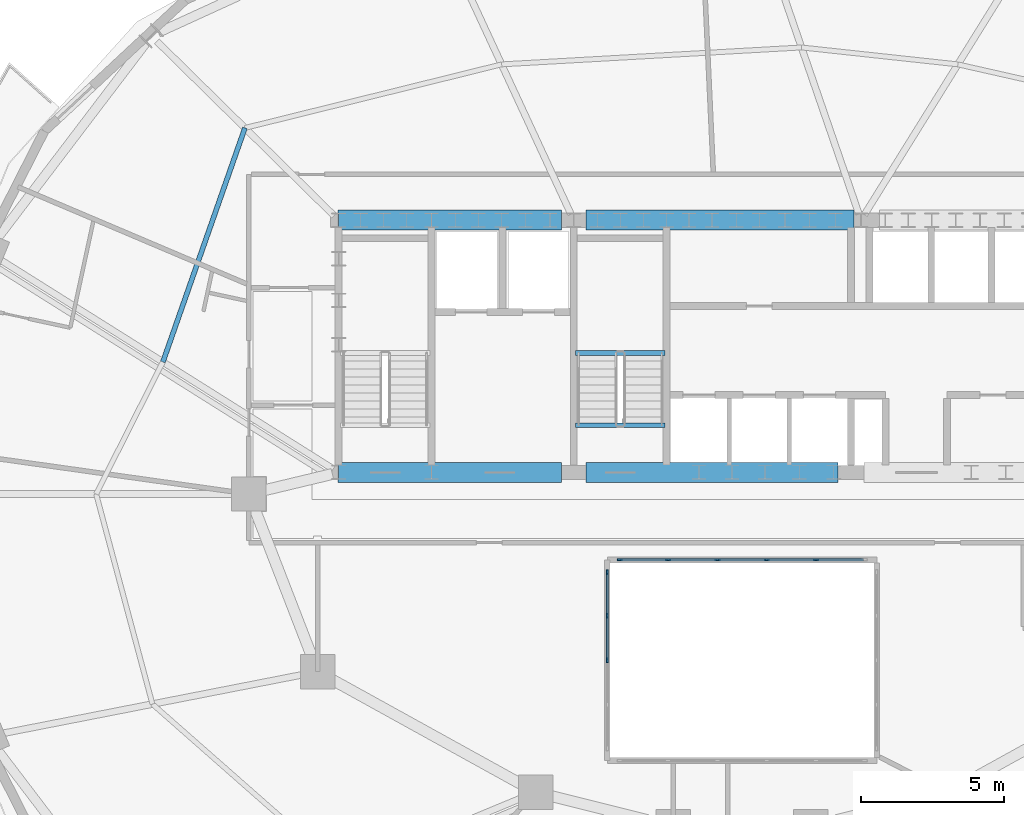
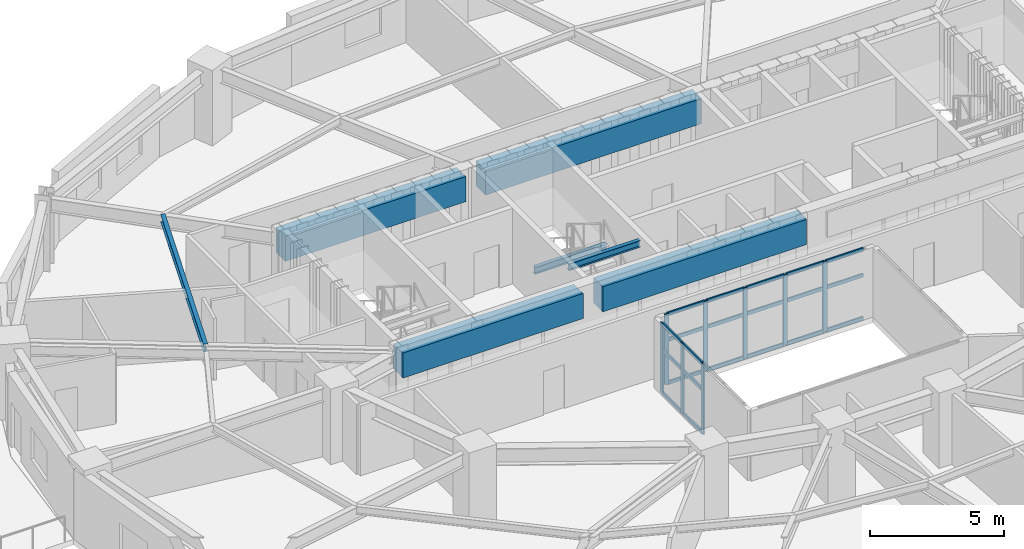
# One storey, part 3 of 13: 29 members, 7 beams, 2 elements without a shape of their own.
"""IFC4 building model written with IfcOpenShell, lengths in metres."""

from ifc_helpers import new_model, si_unit, direction, frame, origin, origin_2d, place, context, subcontext, project, spatial, rectangle, i_section, extrude, material, material_profile, profile_set, type_object, element, aggregate, save


model = new_model("IFC4")

# Units and contexts
model_context = context("Model", 3, precision=1e-05, world=origin(), true_north=direction((0.0, 1.0)))
body_context = subcontext(model_context, "Body", "Model", "MODEL_VIEW")
ifc_project = project(units=[si_unit("LENGTHUNIT", "METRE"), si_unit("AREAUNIT", "SQUARE_METRE"), si_unit("VOLUMEUNIT", "CUBIC_METRE"), si_unit("PLANEANGLEUNIT", "RADIAN"), si_unit("MASSUNIT", "GRAM", prefix="KILO")], contexts=[model_context])

# Site, building, storey
site_placement = place(None, origin())
site = spatial("IfcSite", under=ifc_project, at=site_placement, CompositionType="ELEMENT")
building_placement = place(site_placement, origin())
building = spatial("IfcBuilding", under=site, at=building_placement, Name="Haldorwick Loom Tower", CompositionType="ELEMENT")
storey_placement = place(building_placement, frame((0.0, 0.0, 120.800048828125)))
storey = spatial("IfcBuildingStorey", under=building, at=storey_placement, Name="L32", CompositionType="ELEMENT", Elevation=120.800048828125)

# Curtain wall, members
ifc_material_1 = material(Name="Thermally Broken Anodized Aluminium Curtain Wall Framing", Category="aluminium")
curtain_wall_type = type_object("IfcCurtainWallType", Name="ARC-CW-03", PredefinedType="NOTDEFINED", material=ifc_material_1)
curtain_wall_1_placement = place(storey_placement, origin())
curtain_wall_1 = element("IfcCurtainWall", 1, at=curtain_wall_1_placement, inside=storey, type_object=curtain_wall_type, Name="L32 Atrium Glazed Screen N", PredefinedType="NOTDEFINED")
ifc_material_profile_1 = material_profile(ifc_material_1, rectangle(XDim=0.06591796875, YDim=0.18505859375, at=origin_2d()), Name="ALU_MUL_66X185", Category="aluminium")
ifc_profile_set_1 = profile_set([ifc_material_profile_1], Name="Thermally Broken Anodized Aluminium Curtain Wall Framing")
member_type_1 = type_object("IfcMemberType", Name="ARC-CWM-03", PredefinedType="MULLION", material=ifc_profile_set_1)
member_1_placement = place(storey_placement, frame((31.73291015625, 23.699951171875, 0.0), z_axis=(0.0, 0.0, 1.0), x_axis=(0.0, 1.0, 0.0)))
member_1 = element("IfcMember", 2, at=member_1_placement, type_object=member_type_1, Name="CW-03 mullion 1", PredefinedType="MULLION", context=body_context, shape_type="SweptSolid", body=[
    extrude(rectangle(XDim=0.06591796875, YDim=0.18505859375, at=origin_2d()), origin(), (0.0, 0.0, 1.0), 3.2099609375),
])
member_2_placement = place(storey_placement, frame((33.419921875, 23.699951171875, 0.0), z_axis=(0.0, 0.0, 1.0), x_axis=(0.0, 1.0, 0.0)))
member_2 = element("IfcMember", 3, at=member_2_placement, type_object=member_type_1, Name="CW-03 mullion 2", PredefinedType="MULLION", context=body_context, shape_type="SweptSolid", body=[
    extrude(rectangle(XDim=0.06591796875, YDim=0.18505859375, at=origin_2d()), origin(), (0.0, 0.0, 1.0), 3.2099609375),
])
member_3_placement = place(storey_placement, frame((35.139892578125, 23.699951171875, 0.0), z_axis=(0.0, 0.0, 1.0), x_axis=(0.0, 1.0, 0.0)))
member_3 = element("IfcMember", 4, at=member_3_placement, type_object=member_type_1, Name="CW-03 mullion 3", PredefinedType="MULLION", context=body_context, shape_type="SweptSolid", body=[
    extrude(rectangle(XDim=0.06591796875, YDim=0.18505859375, at=origin_2d()), origin(), (0.0, 0.0, 1.0), 3.2099609375),
])
member_4_placement = place(storey_placement, frame((36.860107421875, 23.699951171875, 0.0), z_axis=(0.0, 0.0, 1.0), x_axis=(0.0, 1.0, 0.0)))
member_4 = element("IfcMember", 5, at=member_4_placement, type_object=member_type_1, Name="CW-03 mullion 4", PredefinedType="MULLION", context=body_context, shape_type="SweptSolid", body=[
    extrude(rectangle(XDim=0.06591796875, YDim=0.18505859375, at=origin_2d()), origin(), (0.0, 0.0, 1.0), 3.2099609375),
])
member_5_placement = place(storey_placement, frame((38.580078125, 23.699951171875, 0.0), z_axis=(0.0, 0.0, 1.0), x_axis=(0.0, 1.0, 0.0)))
member_5 = element("IfcMember", 6, at=member_5_placement, type_object=member_type_1, Name="CW-03 mullion 5", PredefinedType="MULLION", context=body_context, shape_type="SweptSolid", body=[
    extrude(rectangle(XDim=0.06591796875, YDim=0.18505859375, at=origin_2d()), origin(), (0.0, 0.0, 1.0), 3.2099609375),
])

curtain_wall_2_placement = place(storey_placement, origin())
curtain_wall_2 = element("IfcCurtainWall", 7, at=curtain_wall_2_placement, inside=storey, type_object=curtain_wall_type, Name="L32 Atrium Glazed Screen W", PredefinedType="NOTDEFINED")
member_6_placement = place(storey_placement, frame((31.300048828125, 20.199951171875, 0.0), z_axis=(0.0, 0.0, 1.0), x_axis=(-1.0, 0.0, 0.0)))
member_6 = element("IfcMember", 8, at=member_6_placement, type_object=member_type_1, Name="CW-03 mullion 3", PredefinedType="MULLION", context=body_context, shape_type="SweptSolid", body=[
    extrude(rectangle(XDim=0.06591796875, YDim=0.18505859375, at=origin_2d()), origin(), (0.0, 0.0, 1.0), 3.2099609375),
])
member_7_placement = place(storey_placement, frame((31.300048828125, 21.75, 0.0), z_axis=(0.0, 0.0, 1.0), x_axis=(-1.0, 0.0, 0.0)))
member_7 = element("IfcMember", 9, at=member_7_placement, type_object=member_type_1, Name="CW-03 mullion 4", PredefinedType="MULLION", context=body_context, shape_type="SweptSolid", body=[
    extrude(rectangle(XDim=0.06591796875, YDim=0.18505859375, at=origin_2d()), origin(), (0.0, 0.0, 1.0), 3.2099609375),
])
member_8_placement = place(storey_placement, frame((31.300048828125, 23.26708984375, 0.0), z_axis=(0.0, 0.0, 1.0), x_axis=(-1.0, 0.0, 0.0)))
member_8 = element("IfcMember", 10, at=member_8_placement, type_object=member_type_1, Name="CW-03 mullion 5", PredefinedType="MULLION", context=body_context, shape_type="SweptSolid", body=[
    extrude(rectangle(XDim=0.06591796875, YDim=0.18505859375, at=origin_2d()), origin(), (0.0, 0.0, 1.0), 3.2099609375),
])

# Member
ifc_material_profile_2 = material_profile(ifc_material_1, rectangle(XDim=0.06591796875, YDim=0.1650390625, at=origin_2d()), Name="ALU_TRN_66X165", Category="aluminium")
ifc_profile_set_2 = profile_set([ifc_material_profile_2], Name="Thermally Broken Anodized Aluminium Curtain Wall Framing")
member_type_2 = type_object("IfcMemberType", Name="ARC-CWT-03", PredefinedType="USERDEFINED", material=ifc_profile_set_2)
member_9_placement = place(storey_placement, frame((31.76611328125, 23.699951171875, 0.032958984375), z_axis=(1.0, 0.0, 0.0), x_axis=(0.0, 1.0, 0.0)))
member_9 = element("IfcMember", 11, at=member_9_placement, type_object=member_type_2, Name="CW-03 transom 1.1", ObjectType="TRANSOM", PredefinedType="USERDEFINED", context=body_context, shape_type="SweptSolid", body=[
    extrude(rectangle(XDim=0.06591796875, YDim=0.1650390625, at=origin_2d()), origin(), (0.0, 0.0, 1.0), 1.620849609375),
])

member_10_placement = place(storey_placement, frame((31.76611328125, 23.699951171875, 2.0), z_axis=(1.0, 0.0, 0.0), x_axis=(0.0, 1.0, 0.0)))
member_10 = element("IfcMember", 12, at=member_10_placement, type_object=member_type_2, Name="CW-03 transom 1.2", ObjectType="TRANSOM", PredefinedType="USERDEFINED", context=body_context, shape_type="SweptSolid", body=[
    extrude(rectangle(XDim=0.06591796875, YDim=0.1650390625, at=origin_2d()), origin(), (0.0, 0.0, 1.0), 1.620849609375),
])

member_11_placement = place(storey_placement, frame((31.76611328125, 23.699951171875, 3.177001953125), z_axis=(1.0, 0.0, 0.0), x_axis=(0.0, 1.0, 0.0)))
member_11 = element("IfcMember", 13, at=member_11_placement, type_object=member_type_2, Name="CW-03 transom 1.3", ObjectType="TRANSOM", PredefinedType="USERDEFINED", context=body_context, shape_type="SweptSolid", body=[
    extrude(rectangle(XDim=0.06591796875, YDim=0.1650390625, at=origin_2d()), origin(), (0.0, 0.0, 1.0), 1.620849609375),
])

member_12_placement = place(storey_placement, frame((33.452880859375, 23.699951171875, 0.032958984375), z_axis=(1.0, 0.0, 0.0), x_axis=(0.0, 1.0, 0.0)))
member_12 = element("IfcMember", 14, at=member_12_placement, type_object=member_type_2, Name="CW-03 transom 2.1", ObjectType="TRANSOM", PredefinedType="USERDEFINED", context=body_context, shape_type="SweptSolid", body=[
    extrude(rectangle(XDim=0.06591796875, YDim=0.1650390625, at=origin_2d()), origin(), (0.0, 0.0, 1.0), 1.654052734375),
])

member_13_placement = place(storey_placement, frame((33.452880859375, 23.699951171875, 2.0), z_axis=(1.0, 0.0, 0.0), x_axis=(0.0, 1.0, 0.0)))
member_13 = element("IfcMember", 15, at=member_13_placement, type_object=member_type_2, Name="CW-03 transom 2.2", ObjectType="TRANSOM", PredefinedType="USERDEFINED", context=body_context, shape_type="SweptSolid", body=[
    extrude(rectangle(XDim=0.06591796875, YDim=0.1650390625, at=origin_2d()), origin(), (0.0, 0.0, 1.0), 1.654052734375),
])

member_14_placement = place(storey_placement, frame((33.452880859375, 23.699951171875, 3.177001953125), z_axis=(1.0, 0.0, 0.0), x_axis=(0.0, 1.0, 0.0)))
member_14 = element("IfcMember", 16, at=member_14_placement, type_object=member_type_2, Name="CW-03 transom 2.3", ObjectType="TRANSOM", PredefinedType="USERDEFINED", context=body_context, shape_type="SweptSolid", body=[
    extrude(rectangle(XDim=0.06591796875, YDim=0.1650390625, at=origin_2d()), origin(), (0.0, 0.0, 1.0), 1.654052734375),
])

member_15_placement = place(storey_placement, frame((35.173095703125, 23.699951171875, 0.032958984375), z_axis=(1.0, 0.0, 0.0), x_axis=(0.0, 1.0, 0.0)))
member_15 = element("IfcMember", 17, at=member_15_placement, type_object=member_type_2, Name="CW-03 transom 3.1", ObjectType="TRANSOM", PredefinedType="USERDEFINED", context=body_context, shape_type="SweptSolid", body=[
    extrude(rectangle(XDim=0.06591796875, YDim=0.1650390625, at=origin_2d()), origin(), (0.0, 0.0, 1.0), 1.65380859375),
])

member_16_placement = place(storey_placement, frame((35.173095703125, 23.699951171875, 2.0), z_axis=(1.0, 0.0, 0.0), x_axis=(0.0, 1.0, 0.0)))
member_16 = element("IfcMember", 18, at=member_16_placement, type_object=member_type_2, Name="CW-03 transom 3.2", ObjectType="TRANSOM", PredefinedType="USERDEFINED", context=body_context, shape_type="SweptSolid", body=[
    extrude(rectangle(XDim=0.06591796875, YDim=0.1650390625, at=origin_2d()), origin(), (0.0, 0.0, 1.0), 1.65380859375),
])

member_17_placement = place(storey_placement, frame((35.173095703125, 23.699951171875, 3.177001953125), z_axis=(1.0, 0.0, 0.0), x_axis=(0.0, 1.0, 0.0)))
member_17 = element("IfcMember", 19, at=member_17_placement, type_object=member_type_2, Name="CW-03 transom 3.3", ObjectType="TRANSOM", PredefinedType="USERDEFINED", context=body_context, shape_type="SweptSolid", body=[
    extrude(rectangle(XDim=0.06591796875, YDim=0.1650390625, at=origin_2d()), origin(), (0.0, 0.0, 1.0), 1.65380859375),
])

member_18_placement = place(storey_placement, frame((36.89306640625, 23.699951171875, 0.032958984375), z_axis=(1.0, 0.0, 0.0), x_axis=(0.0, 1.0, 0.0)))
member_18 = element("IfcMember", 20, at=member_18_placement, type_object=member_type_2, Name="CW-03 transom 4.1", ObjectType="TRANSOM", PredefinedType="USERDEFINED", context=body_context, shape_type="SweptSolid", body=[
    extrude(rectangle(XDim=0.06591796875, YDim=0.1650390625, at=origin_2d()), origin(), (0.0, 0.0, 1.0), 1.654052734375),
])

member_19_placement = place(storey_placement, frame((36.89306640625, 23.699951171875, 2.0), z_axis=(1.0, 0.0, 0.0), x_axis=(0.0, 1.0, 0.0)))
member_19 = element("IfcMember", 21, at=member_19_placement, type_object=member_type_2, Name="CW-03 transom 4.2", ObjectType="TRANSOM", PredefinedType="USERDEFINED", context=body_context, shape_type="SweptSolid", body=[
    extrude(rectangle(XDim=0.06591796875, YDim=0.1650390625, at=origin_2d()), origin(), (0.0, 0.0, 1.0), 1.654052734375),
])

member_20_placement = place(storey_placement, frame((36.89306640625, 23.699951171875, 3.177001953125), z_axis=(1.0, 0.0, 0.0), x_axis=(0.0, 1.0, 0.0)))
member_20 = element("IfcMember", 22, at=member_20_placement, type_object=member_type_2, Name="CW-03 transom 4.3", ObjectType="TRANSOM", PredefinedType="USERDEFINED", context=body_context, shape_type="SweptSolid", body=[
    extrude(rectangle(XDim=0.06591796875, YDim=0.1650390625, at=origin_2d()), origin(), (0.0, 0.0, 1.0), 1.654052734375),
])

member_21_placement = place(storey_placement, frame((38.613037109375, 23.699951171875, 0.032958984375), z_axis=(1.0, 0.0, 0.0), x_axis=(0.0, 1.0, 0.0)))
member_21 = element("IfcMember", 23, at=member_21_placement, type_object=member_type_2, Name="CW-03 transom 5.1", ObjectType="TRANSOM", PredefinedType="USERDEFINED", context=body_context, shape_type="SweptSolid", body=[
    extrude(rectangle(XDim=0.06591796875, YDim=0.1650390625, at=origin_2d()), origin(), (0.0, 0.0, 1.0), 1.620849609375),
])

member_22_placement = place(storey_placement, frame((38.613037109375, 23.699951171875, 2.0), z_axis=(1.0, 0.0, 0.0), x_axis=(0.0, 1.0, 0.0)))
member_22 = element("IfcMember", 24, at=member_22_placement, type_object=member_type_2, Name="CW-03 transom 5.2", ObjectType="TRANSOM", PredefinedType="USERDEFINED", context=body_context, shape_type="SweptSolid", body=[
    extrude(rectangle(XDim=0.06591796875, YDim=0.1650390625, at=origin_2d()), origin(), (0.0, 0.0, 1.0), 1.620849609375),
])

member_23_placement = place(storey_placement, frame((38.613037109375, 23.699951171875, 3.177001953125), z_axis=(1.0, 0.0, 0.0), x_axis=(0.0, 1.0, 0.0)))
member_23 = element("IfcMember", 25, at=member_23_placement, type_object=member_type_2, Name="CW-03 transom 5.3", ObjectType="TRANSOM", PredefinedType="USERDEFINED", context=body_context, shape_type="SweptSolid", body=[
    extrude(rectangle(XDim=0.06591796875, YDim=0.1650390625, at=origin_2d()), origin(), (0.0, 0.0, 1.0), 1.620849609375),
])

aggregate(curtain_wall_1, [member_1, member_2, member_3, member_4, member_5, member_9, member_10, member_11, member_12, member_13, member_14, member_15, member_16, member_17, member_18, member_19, member_20, member_21, member_22, member_23])

member_24_placement = place(storey_placement, frame((31.300048828125, 20.23291015625, 0.032958984375), z_axis=(0.0, 1.0, 0.0), x_axis=(-1.0, 0.0, 0.0)))
member_24 = element("IfcMember", 26, at=member_24_placement, type_object=member_type_2, Name="CW-03 transom 3.1", ObjectType="TRANSOM", PredefinedType="USERDEFINED", context=body_context, shape_type="SweptSolid", body=[
    extrude(rectangle(XDim=0.06591796875, YDim=0.1650390625, at=origin_2d()), origin(), (0.0, 0.0, 1.0), 1.484130859375),
])

member_25_placement = place(storey_placement, frame((31.300048828125, 20.23291015625, 2.0), z_axis=(0.0, 1.0, 0.0), x_axis=(-1.0, 0.0, 0.0)))
member_25 = element("IfcMember", 27, at=member_25_placement, type_object=member_type_2, Name="CW-03 transom 3.2", ObjectType="TRANSOM", PredefinedType="USERDEFINED", context=body_context, shape_type="SweptSolid", body=[
    extrude(rectangle(XDim=0.06591796875, YDim=0.1650390625, at=origin_2d()), origin(), (0.0, 0.0, 1.0), 1.484130859375),
])

member_26_placement = place(storey_placement, frame((31.300048828125, 20.23291015625, 3.177001953125), z_axis=(0.0, 1.0, 0.0), x_axis=(-1.0, 0.0, 0.0)))
member_26 = element("IfcMember", 28, at=member_26_placement, type_object=member_type_2, Name="CW-03 transom 3.3", ObjectType="TRANSOM", PredefinedType="USERDEFINED", context=body_context, shape_type="SweptSolid", body=[
    extrude(rectangle(XDim=0.06591796875, YDim=0.1650390625, at=origin_2d()), origin(), (0.0, 0.0, 1.0), 1.484130859375),
])

member_27_placement = place(storey_placement, frame((31.300048828125, 21.782958984375, 0.032958984375), z_axis=(0.0, 1.0, 0.0), x_axis=(-1.0, 0.0, 0.0)))
member_27 = element("IfcMember", 29, at=member_27_placement, type_object=member_type_2, Name="CW-03 transom 4.1", ObjectType="TRANSOM", PredefinedType="USERDEFINED", context=body_context, shape_type="SweptSolid", body=[
    extrude(rectangle(XDim=0.06591796875, YDim=0.1650390625, at=origin_2d()), origin(), (0.0, 0.0, 1.0), 1.450927734375),
])

member_28_placement = place(storey_placement, frame((31.300048828125, 21.782958984375, 2.0), z_axis=(0.0, 1.0, 0.0), x_axis=(-1.0, 0.0, 0.0)))
member_28 = element("IfcMember", 30, at=member_28_placement, type_object=member_type_2, Name="CW-03 transom 4.2", ObjectType="TRANSOM", PredefinedType="USERDEFINED", context=body_context, shape_type="SweptSolid", body=[
    extrude(rectangle(XDim=0.06591796875, YDim=0.1650390625, at=origin_2d()), origin(), (0.0, 0.0, 1.0), 1.450927734375),
])

member_29_placement = place(storey_placement, frame((31.300048828125, 21.782958984375, 3.177001953125), z_axis=(0.0, 1.0, 0.0), x_axis=(-1.0, 0.0, 0.0)))
member_29 = element("IfcMember", 31, at=member_29_placement, type_object=member_type_2, Name="CW-03 transom 4.3", ObjectType="TRANSOM", PredefinedType="USERDEFINED", context=body_context, shape_type="SweptSolid", body=[
    extrude(rectangle(XDim=0.06591796875, YDim=0.1650390625, at=origin_2d()), origin(), (0.0, 0.0, 1.0), 1.450927734375),
])

aggregate(curtain_wall_2, [member_6, member_7, member_8, member_24, member_25, member_26, member_27, member_28, member_29])

# Beams
ifc_material_2 = material(Name="Concrete C60 (60 MPa)", Category="concrete")
ifc_material_profile_3 = material_profile(ifc_material_2, rectangle(XDim=0.699951171875, YDim=1.14990234375, at=origin_2d()), Name="RC700X1150", Category="concrete")
ifc_profile_set_3 = profile_set([ifc_material_profile_3], Name="Concrete C60 (60 MPa)")
beam_type_1 = type_object("IfcBeamType", Name="STR-BM-CB1150", PredefinedType="LINTEL", material=ifc_profile_set_3)
beam_1_placement = place(storey_placement, frame((21.89990234375, 35.550048828125, 2.635009765625), z_axis=(1.0, 0.0, 0.0), x_axis=(0.0, 1.0, 0.0)))
element("IfcBeam", 32, at=beam_1_placement, inside=storey, type_object=beam_type_1, Name="L32 Core Coupling Beam CB-N1", PredefinedType="LINTEL", context=body_context, shape_type="SweptSolid", body=[
    extrude(rectangle(XDim=0.699951171875, YDim=1.14990234375, at=origin_2d()), origin(), (0.0, 0.0, 1.0), 7.800048828125),
])
beam_2_placement = place(storey_placement, frame((30.550048828125, 35.550048828125, 2.635009765625), z_axis=(1.0, 0.0, 0.0), x_axis=(0.0, 1.0, 0.0)))
element("IfcBeam", 33, at=beam_2_placement, inside=storey, type_object=beam_type_1, Name="L32 Core Coupling Beam CB-N2", PredefinedType="LINTEL", context=body_context, shape_type="SweptSolid", body=[
    extrude(rectangle(XDim=0.699951171875, YDim=1.14990234375, at=origin_2d()), origin(), (0.0, 0.0, 1.0), 9.349853515625),
])
beam_3_placement = place(storey_placement, frame((21.89990234375, 26.75, 2.635009765625), z_axis=(1.0, 0.0, 0.0), x_axis=(0.0, 1.0, 0.0)))
element("IfcBeam", 34, at=beam_3_placement, inside=storey, type_object=beam_type_1, Name="L32 Core Coupling Beam CB-S1", PredefinedType="LINTEL", context=body_context, shape_type="SweptSolid", body=[
    extrude(rectangle(XDim=0.699951171875, YDim=1.14990234375, at=origin_2d()), origin(), (0.0, 0.0, 1.0), 7.800048828125),
])
beam_4_placement = place(storey_placement, frame((30.550048828125, 26.75, 2.635009765625), z_axis=(1.0, 0.0, 0.0), x_axis=(0.0, 1.0, 0.0)))
element("IfcBeam", 35, at=beam_4_placement, inside=storey, type_object=beam_type_1, Name="L32 Core Coupling Beam CB-S2", PredefinedType="LINTEL", context=body_context, shape_type="SweptSolid", body=[
    extrude(rectangle(XDim=0.699951171875, YDim=1.14990234375, at=origin_2d()), origin(), (0.0, 0.0, 1.0), 8.800048828125),
])
ifc_material_3 = material(Name="Steel CSA G40.21 350W", Category="steel")
ifc_material_profile_4 = material_profile(ifc_material_3, i_section(OverallWidth=0.172119140625, OverallDepth=0.35791015625, WebThickness=0.0078125, FlangeThickness=0.01318359375, at=origin_2d()), Name="W360X57", Category="steel")
ifc_profile_set_4 = profile_set([ifc_material_profile_4], Name="Steel CSA G40.21 350W")
beam_type_2 = type_object("IfcBeamType", Name="STR-BM-J360", PredefinedType="JOIST", material=ifc_profile_set_4)
beam_5_placement = place(storey_placement, frame((18.66162109375, 38.765869140625, 3.031005859375), z_axis=(-0.330864603503, -0.943678236556, 0.0), x_axis=(0.943678236556, -0.330864603503, 0.0)))
element("IfcBeam", 36, at=beam_5_placement, inside=storey, type_object=beam_type_2, Name="L32 Mid-Bay Secondary Joist 7", PredefinedType="JOIST", context=body_context, shape_type="SweptSolid", body=[
    extrude(i_section(OverallWidth=0.172119140625, OverallDepth=0.35791015625, WebThickness=0.0078125, FlangeThickness=0.01318359375, at=origin_2d()), origin(), (0.0, 0.0, 1.0), 8.6494140625),
])
ifc_material_profile_5 = material_profile(ifc_material_3, i_section(OverallWidth=0.166015625, OverallDepth=0.31298828125, WebThickness=0.006591796875, FlangeThickness=0.01123046875, at=origin_2d()), Name="W310X45", Category="steel")
ifc_profile_set_5 = profile_set([ifc_material_profile_5], Name="Steel CSA G40.21 350W")
beam_type_3 = type_object("IfcBeamType", Name="STR-BM-STRM", PredefinedType="BEAM", material=ifc_profile_set_5)
for number, where, z_axis, x_axis, name in (
    (37, (30.18994140625, 28.39990234375, 3.053466796875), (1.0, 0.0, 0.0), (0.0, 1.0, 0.0), "L32 Stair ST-03 Landing Edge Trimmer"),
    (38, (30.18994140625, 30.919921875, 1.368408203125), (1.0, 0.0, 0.0), (0.0, 1.0, 0.0), "L32 Stair ST-03 Half-Landing Trimmer 1"),
):
    element("IfcBeam", number, at=place(storey_placement, frame(where, z_axis=z_axis, x_axis=x_axis)), inside=storey, type_object=beam_type_3, Name=name, PredefinedType="BEAM", context=body_context, shape_type="SweptSolid", body=[
        extrude(i_section(OverallWidth=0.166015625, OverallDepth=0.31298828125, WebThickness=0.006591796875, FlangeThickness=0.01123046875, at=origin_2d()), origin(), (0.0, 0.0, 1.0), 3.1201171875),
    ])

save(model, "model.ifc")
